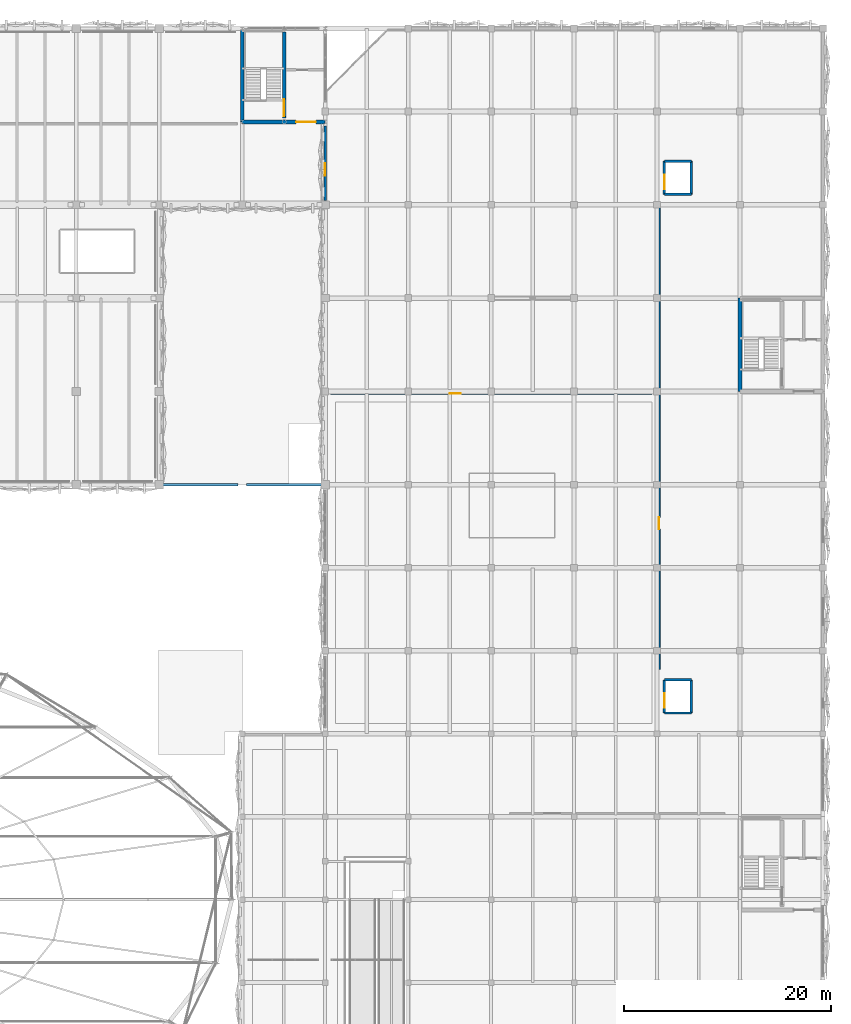
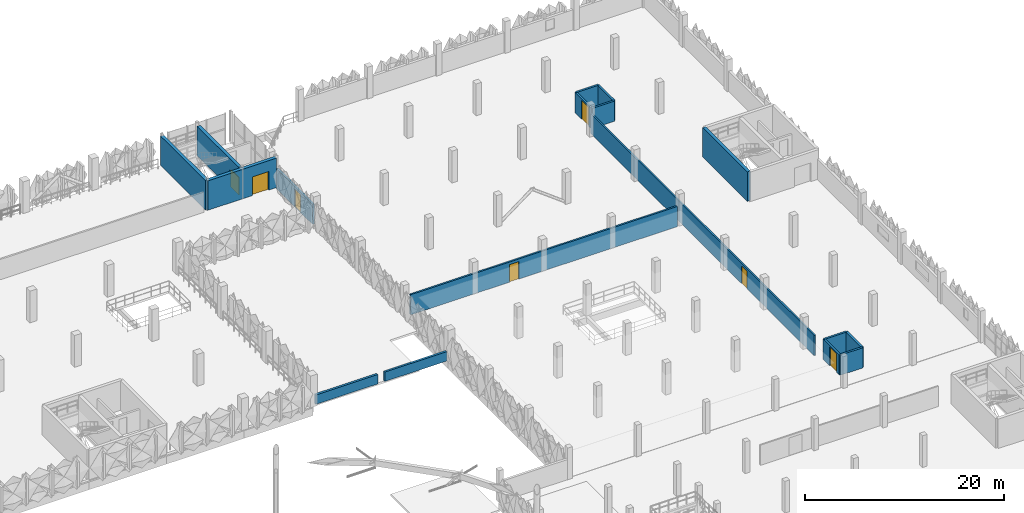
# One storey, part 53 of 96: 17 walls, 7 doors, 7 openings.
"""IFC4 building model written with IfcOpenShell, lengths in metres."""

from ifc_helpers import new_model, si_unit, derived_unit, direction, frame, frame_2d, origin, place, context, subcontext, project, spatial, rectangle, extrude, material, layer, layer_set, type_object, element, fill, save


model = new_model("IFC4")

# Units and contexts
model_context = context("Model", 3, precision=1e-05, world=origin(), true_north=direction((0.0, 1.0)))
body_context = subcontext(model_context, "Body", "Model", "MODEL_VIEW")
ifc_project = project(units=[si_unit("LENGTHUNIT", "METRE"), si_unit("AREAUNIT", "SQUARE_METRE"), si_unit("VOLUMEUNIT", "CUBIC_METRE"), si_unit("PLANEANGLEUNIT", "RADIAN"), si_unit("MASSUNIT", "GRAM", prefix="KILO"), si_unit("THERMODYNAMICTEMPERATUREUNIT", "KELVIN"), derived_unit("THERMALTRANSMITTANCEUNIT", [(si_unit("POWERUNIT", "WATT"), 1), (si_unit("AREAUNIT", "SQUARE_METRE"), -1), (si_unit("THERMODYNAMICTEMPERATUREUNIT", "KELVIN"), -1)])], contexts=[model_context])

# Site, building, storey
site_placement = place(None, origin())
site = spatial("IfcSite", under=ifc_project, at=site_placement, CompositionType="ELEMENT")
building_placement = place(site_placement, origin())
building = spatial("IfcBuilding", under=site, at=building_placement, Name="Haiyu Intermodal Mobility Hub", CompositionType="ELEMENT")
storey_placement = place(building_placement, frame((0.0, 0.0, 9.5)))
storey = spatial("IfcBuildingStorey", under=building, at=storey_placement, Name="L02", CompositionType="ELEMENT", Elevation=9.5)

# Walls
ifc_material_1 = material(Name="Anodised aluminium 6063-T6", Category="aluminium")
ifc_layer_1 = layer(ifc_material_1, 0.260009765625)
ifc_layer_set_1 = layer_set([ifc_layer_1], Name="Anodised aluminium 6063-T6")
wall_type_1 = type_object("IfcWallType", Name="WAL-WE03", PredefinedType="STANDARD", material=ifc_layer_set_1)
wall_1_placement = place(storey_placement, frame((146.385009765625, 104.0, 0.0), z_axis=(0.0, 0.0, 1.0), x_axis=(1.0, 0.0, 0.0)))
element("IfcWall", 1, at=wall_1_placement, inside=storey, type_object=wall_type_1, Name="WAL-PAR-CAR-03", PredefinedType="STANDARD", context=body_context, shape_type="SweptSolid", body=[
    extrude(rectangle(XDim=7.215087890625, YDim=0.260009765625, at=frame_2d((3.607421875, 0.0))), origin(), (0.0, 0.0, 1.0), 1.14990234375),
])
ifc_material_2 = material(Name="Concrete C40", Category="concrete")
ifc_layer_2 = layer(ifc_material_2, 0.239990234375)
ifc_layer_set_2 = layer_set([ifc_layer_2], Name="Concrete C40")
wall_type_2 = type_object("IfcWallType", Name="WAL-WE04", PredefinedType="STANDARD", material=ifc_layer_set_2)
wall_2_placement = place(storey_placement, frame((154.39990234375, 104.0, 0.0), z_axis=(0.0, 0.0, 1.0), x_axis=(1.0, 0.0, 0.0)))
element("IfcWall", 2, at=wall_2_placement, inside=storey, type_object=wall_type_2, Name="WAL-PAR-CAR-04", PredefinedType="STANDARD", context=body_context, shape_type="SweptSolid", body=[
    extrude(rectangle(XDim=7.22509765625, YDim=0.239990234375, at=frame_2d((3.612548828125, 0.0))), origin(), (0.0, 0.0, 1.0), 1.14990234375),
])

# Wall, opening, door
ifc_material_3 = material(Name="Autoclaved aerated concrete block A5.0", Category="concrete")
ifc_layer_3 = layer(ifc_material_3, 0.22998046875)
ifc_layer_set_3 = layer_set([ifc_layer_3], Name="Autoclaved aerated concrete block A5.0")
wall_type_3 = type_object("IfcWallType", Name="WAL-WI01", PredefinedType="PARTITIONING", material=ifc_layer_set_3)
wall_3_placement = place(storey_placement, frame((194.699951171875, 82.0, 0.0), z_axis=(0.0, 0.0, 1.0), x_axis=(0.0, 1.0, 0.0)))
wall_3 = element("IfcWall", 3, at=wall_3_placement, inside=storey, type_object=wall_type_3, Name="WAL-GL-01-W-L02", PredefinedType="PARTITIONING", context=body_context, shape_type="SweptSolid", body=[
    extrude(rectangle(XDim=3.199951171875, YDim=0.22998046875, at=frame_2d((1.60009765625, 0.0))), origin(), (0.0, 0.0, 1.0), 2.47998046875),
])
opening_1_placement = place(wall_3_placement, frame((0.5, 0.0, 0.0)))
opening_1 = element("IfcOpeningElement", 4, at=opening_1_placement, cuts=wall_3, Name="Opening LD03", PredefinedType="OPENING", context=body_context, shape_type="SweptSolid", body=[
    extrude(rectangle(XDim=1.39990234375, YDim=2.300048828125, at=frame_2d((0.699951171875, 1.14990234375))), frame((0.0, 0.125, 0.0), z_axis=(0.0, -1.0, 0.0), x_axis=(1.0, 0.0, 0.0)), (0.0, 0.0, 1.0), 0.25),
])
ifc_material_4 = material(Name="Steel Q355C", Category="steel")
door_type_1 = type_object("IfcDoorType", Name="DR-LD03", OperationType="DOUBLE_DOOR_SLIDING", PredefinedType="DOOR", material=ifc_material_4)
door_1_placement = place(opening_1_placement, origin())
door_1 = element("IfcDoor", 5, at=door_1_placement, inside=storey, type_object=door_type_1, Name="Goods Lift GL-01 Sliding Door L02", OperationType="SLIDING_TO_RIGHT", OverallHeight=2.300048828125, OverallWidth=1.39990234375, PredefinedType="DOOR", context=body_context, shape_type="SweptSolid", body=[
    extrude(rectangle(XDim=1.39990234375, YDim=2.300048828125, at=frame_2d((0.699951171875, 1.14990234375))), frame((0.0, 0.02490234375, 0.0), z_axis=(0.0, -1.0, 0.0), x_axis=(1.0, 0.0, 0.0)), (0.0, 0.0, 1.0), 0.050048828125),
])
fill(opening_1, door_1)

# Walls
wall_4_placement = place(storey_placement, frame((194.699951171875, 85.199951171875, 0.0), z_axis=(0.0, 0.0, 1.0), x_axis=(1.0, 0.0, 0.0)))
element("IfcWall", 6, at=wall_4_placement, inside=storey, type_object=wall_type_3, Name="WAL-GL-01-N-L02", PredefinedType="PARTITIONING", context=body_context, shape_type="SweptSolid", body=[
    extrude(rectangle(XDim=2.60009765625, YDim=0.22998046875, at=frame_2d((1.300048828125, 0.0))), origin(), (0.0, 0.0, 1.0), 2.47998046875),
])
wall_5_placement = place(storey_placement, frame((197.300048828125, 85.199951171875, 0.0), z_axis=(0.0, 0.0, 1.0), x_axis=(0.0, -1.0, 0.0)))
element("IfcWall", 7, at=wall_5_placement, inside=storey, type_object=wall_type_3, Name="WAL-GL-01-E-L02", PredefinedType="PARTITIONING", context=body_context, shape_type="SweptSolid", body=[
    extrude(rectangle(XDim=3.199951171875, YDim=0.22998046875, at=frame_2d((1.60009765625, 0.0))), origin(), (0.0, 0.0, 1.0), 2.47998046875),
])
wall_6_placement = place(storey_placement, frame((197.300048828125, 82.0, 0.0), z_axis=(0.0, 0.0, 1.0), x_axis=(-1.0, 0.0, 0.0)))
element("IfcWall", 8, at=wall_6_placement, inside=storey, type_object=wall_type_3, Name="WAL-GL-01-S-L02", PredefinedType="PARTITIONING", context=body_context, shape_type="SweptSolid", body=[
    extrude(rectangle(XDim=2.60009765625, YDim=0.22998046875, at=frame_2d((1.300048828125, 0.0))), origin(), (0.0, 0.0, 1.0), 2.47998046875),
])

# Wall, opening, door
wall_7_placement = place(storey_placement, frame((194.699951171875, 132.0, 0.0), z_axis=(0.0, 0.0, 1.0), x_axis=(0.0, 1.0, 0.0)))
wall_7 = element("IfcWall", 9, at=wall_7_placement, inside=storey, type_object=wall_type_3, Name="WAL-GL-02-W-L02", PredefinedType="PARTITIONING", context=body_context, shape_type="SweptSolid", body=[
    extrude(rectangle(XDim=3.199951171875, YDim=0.22998046875, at=frame_2d((1.60009765625, 0.0))), origin(), (0.0, 0.0, 1.0), 2.47998046875),
])
opening_2_placement = place(wall_7_placement, frame((0.5, 0.0, 0.0)))
opening_2 = element("IfcOpeningElement", 10, at=opening_2_placement, cuts=wall_7, Name="Opening LD03", PredefinedType="OPENING", context=body_context, shape_type="SweptSolid", body=[
    extrude(rectangle(XDim=1.39990234375, YDim=2.300048828125, at=frame_2d((0.699951171875, 1.14990234375))), frame((0.0, 0.125, 0.0), z_axis=(0.0, -1.0, 0.0), x_axis=(1.0, 0.0, 0.0)), (0.0, 0.0, 1.0), 0.25),
])
door_2_placement = place(opening_2_placement, origin())
door_2 = element("IfcDoor", 11, at=door_2_placement, inside=storey, type_object=door_type_1, Name="Goods Lift GL-02 Sliding Door L02", OperationType="SLIDING_TO_RIGHT", OverallHeight=2.300048828125, OverallWidth=1.39990234375, PredefinedType="DOOR", context=body_context, shape_type="SweptSolid", body=[
    extrude(rectangle(XDim=1.39990234375, YDim=2.300048828125, at=frame_2d((0.699951171875, 1.14990234375))), frame((0.0, 0.02490234375, 0.0), z_axis=(0.0, -1.0, 0.0), x_axis=(1.0, 0.0, 0.0)), (0.0, 0.0, 1.0), 0.050048828125),
])
fill(opening_2, door_2)

# Walls
wall_8_placement = place(storey_placement, frame((194.699951171875, 135.199951171875, 0.0), z_axis=(0.0, 0.0, 1.0), x_axis=(1.0, 0.0, 0.0)))
element("IfcWall", 12, at=wall_8_placement, inside=storey, type_object=wall_type_3, Name="WAL-GL-02-N-L02", PredefinedType="PARTITIONING", context=body_context, shape_type="SweptSolid", body=[
    extrude(rectangle(XDim=2.60009765625, YDim=0.22998046875, at=frame_2d((1.300048828125, 0.0))), origin(), (0.0, 0.0, 1.0), 2.47998046875),
])
wall_9_placement = place(storey_placement, frame((197.300048828125, 135.199951171875, 0.0), z_axis=(0.0, 0.0, 1.0), x_axis=(0.0, -1.0, 0.0)))
element("IfcWall", 13, at=wall_9_placement, inside=storey, type_object=wall_type_3, Name="WAL-GL-02-E-L02", PredefinedType="PARTITIONING", context=body_context, shape_type="SweptSolid", body=[
    extrude(rectangle(XDim=3.199951171875, YDim=0.22998046875, at=frame_2d((1.60009765625, 0.0))), origin(), (0.0, 0.0, 1.0), 2.47998046875),
])
wall_10_placement = place(storey_placement, frame((197.300048828125, 132.0, 0.0), z_axis=(0.0, 0.0, 1.0), x_axis=(-1.0, 0.0, 0.0)))
element("IfcWall", 14, at=wall_10_placement, inside=storey, type_object=wall_type_3, Name="WAL-GL-02-S-L02", PredefinedType="PARTITIONING", context=body_context, shape_type="SweptSolid", body=[
    extrude(rectangle(XDim=2.60009765625, YDim=0.22998046875, at=frame_2d((1.300048828125, 0.0))), origin(), (0.0, 0.0, 1.0), 2.47998046875),
])

# Wall, opening, door
wall_11_placement = place(storey_placement, frame((162.0, 131.39990234375, 0.0), z_axis=(0.0, 0.0, 1.0), x_axis=(0.0, 1.0, 0.0)))
wall_11 = element("IfcWall", 15, at=wall_11_placement, inside=storey, type_object=wall_type_3, Name="WAL-INT-0015", PredefinedType="PARTITIONING", context=body_context, shape_type="SweptSolid", body=[
    extrude(rectangle(XDim=7.2001953125, YDim=0.22998046875, at=frame_2d((3.60009765625, 0.0))), origin(), (0.0, 0.0, 1.0), 2.47998046875),
])
opening_3_placement = place(wall_11_placement, frame((2.39990234375, 0.0, 0.0)))
opening_3 = element("IfcOpeningElement", 16, at=opening_3_placement, cuts=wall_11, Name="Opening DI03", PredefinedType="OPENING", context=body_context, shape_type="SweptSolid", body=[
    extrude(rectangle(XDim=1.199951171875, YDim=2.199951171875, at=frame_2d((0.60009765625, 1.10009765625))), frame((0.0, 0.125, 0.0), z_axis=(0.0, -1.0, 0.0), x_axis=(1.0, 0.0, 0.0)), (0.0, 0.0, 1.0), 0.25),
])
door_type_2 = type_object("IfcDoorType", Name="DR-DI03", OperationType="NOTDEFINED", PredefinedType="DOOR", material=ifc_material_4)
door_3_placement = place(opening_3_placement, origin())
door_3 = element("IfcDoor", 17, at=door_3_placement, inside=storey, type_object=door_type_2, Name="Parking-Service Fire Door L02-A", OperationType="DOUBLE_SWING_LEFT", OverallHeight=2.199951171875, OverallWidth=1.199951171875, PredefinedType="DOOR", context=body_context, shape_type="SweptSolid", body=[
    extrude(rectangle(XDim=1.199951171875, YDim=2.199951171875, at=frame_2d((0.60009765625, 1.10009765625))), frame((0.0, 0.02490234375, 0.0), z_axis=(0.0, -1.0, 0.0), x_axis=(1.0, 0.0, 0.0)), (0.0, 0.0, 1.0), 0.050048828125),
])
fill(opening_3, door_3)

ifc_layer_4 = layer(ifc_material_3, 0.199951171875)
ifc_layer_set_4 = layer_set([ifc_layer_4], Name="Autoclaved aerated concrete block A5.0")
wall_type_4 = type_object("IfcWallType", Name="WAL-WI02", PredefinedType="PARTITIONING", material=ifc_layer_set_4)
wall_12_placement = place(storey_placement, frame((162.5, 112.800048828125, 0.0), z_axis=(0.0, 0.0, 1.0), x_axis=(1.0, 0.0, 0.0)))
wall_12 = element("IfcWall", 18, at=wall_12_placement, inside=storey, type_object=wall_type_4, Name="WAL-INT-0034", PredefinedType="PARTITIONING", context=body_context, shape_type="SweptSolid", body=[
    extrude(rectangle(XDim=31.0, YDim=0.199951171875, at=frame_2d((15.5, 0.0))), origin(), (0.0, 0.0, 1.0), 2.47998046875),
])
opening_4_placement = place(wall_12_placement, frame((11.5, 0.0, 0.0)))
opening_4 = element("IfcOpeningElement", 19, at=opening_4_placement, cuts=wall_12, Name="Opening DI10", PredefinedType="OPENING", context=body_context, shape_type="SweptSolid", body=[
    extrude(rectangle(XDim=1.080078125, YDim=2.14990234375, at=frame_2d((0.5400390625, 1.074951171875))), frame((0.0, 0.10986328125, 0.0), z_axis=(0.0, -1.0, 0.0), x_axis=(1.0, 0.0, 0.0)), (0.0, 0.0, 1.0), 0.219970703125),
])
door_type_3 = type_object("IfcDoorType", Name="DR-DI10", OperationType="NOTDEFINED", PredefinedType="DOOR", material=ifc_material_1)
door_4_placement = place(opening_4_placement, origin())
door_4 = element("IfcDoor", 20, at=door_4_placement, inside=storey, type_object=door_type_3, Name="ITS Server Room Door", OperationType="SINGLE_SWING_RIGHT", OverallHeight=2.14990234375, OverallWidth=1.080078125, PredefinedType="DOOR", context=body_context, shape_type="SweptSolid", body=[
    extrude(rectangle(XDim=1.080078125, YDim=2.14990234375, at=frame_2d((0.5400390625, 1.074951171875))), frame((0.0, 0.02490234375, 0.0), z_axis=(0.0, -1.0, 0.0), x_axis=(1.0, 0.0, 0.0)), (0.0, 0.0, 1.0), 0.050048828125),
])
fill(opening_4, door_4)

ifc_layer_5 = layer(ifc_material_3, 0.179931640625)
ifc_layer_set_5 = layer_set([ifc_layer_5], Name="Autoclaved aerated concrete block A5.0")
wall_type_5 = type_object("IfcWallType", Name="WAL-WI03", PredefinedType="PARTITIONING", material=ifc_layer_set_5)
wall_13_placement = place(storey_placement, frame((194.199951171875, 86.199951171875, 0.0), z_axis=(0.0, 0.0, 1.0), x_axis=(0.0, 1.0, 0.0)))
wall_13 = element("IfcWall", 21, at=wall_13_placement, inside=storey, type_object=wall_type_5, Name="WAL-INT-0035", PredefinedType="PARTITIONING", context=body_context, shape_type="SweptSolid", body=[
    extrude(rectangle(XDim=45.0, YDim=0.179931640625, at=frame_2d((22.5, 0.0))), origin(), (0.0, 0.0, 1.0), 2.47998046875),
])
opening_5_placement = place(wall_13_placement, frame((13.5, 0.0, 0.0)))
opening_5 = element("IfcOpeningElement", 22, at=opening_5_placement, cuts=wall_13, Name="Opening DI05", PredefinedType="OPENING", context=body_context, shape_type="SweptSolid", body=[
    extrude(rectangle(XDim=1.14990234375, YDim=2.14990234375, at=frame_2d((0.574951171875, 1.074951171875))), frame((0.0, 0.10009765625, 0.0), z_axis=(0.0, -1.0, 0.0), x_axis=(1.0, 0.0, 0.0)), (0.0, 0.0, 1.0), 0.199951171875),
])
door_type_4 = type_object("IfcDoorType", Name="DR-DI05", OperationType="NOTDEFINED", PredefinedType="DOOR", material=ifc_material_4)
door_5_placement = place(opening_5_placement, origin())
door_5 = element("IfcDoor", 23, at=door_5_placement, inside=storey, type_object=door_type_4, Name="Operations Briefing Door", OperationType="SINGLE_SWING_LEFT", OverallHeight=2.14990234375, OverallWidth=1.14990234375, PredefinedType="DOOR", context=body_context, shape_type="SweptSolid", body=[
    extrude(rectangle(XDim=1.14990234375, YDim=2.14990234375, at=frame_2d((0.574951171875, 1.074951171875))), frame((0.0, 0.02490234375, 0.0), z_axis=(0.0, -1.0, 0.0), x_axis=(1.0, 0.0, 0.0)), (0.0, 0.0, 1.0), 0.050048828125),
])
fill(opening_5, door_5)

# Wall
ifc_layer_6 = layer(ifc_material_2, 0.35009765625)
ifc_layer_set_6 = layer_set([ifc_layer_6], Name="Concrete C40")
wall_type_6 = type_object("IfcWallType", Name="WAL-WS02", PredefinedType="SHEAR", material=ifc_layer_set_6)
wall_14_placement = place(storey_placement, frame((202.0, 122.0, 0.0), z_axis=(0.0, 0.0, 1.0), x_axis=(0.0, -1.0, 0.0)))
element("IfcWall", 24, at=wall_14_placement, inside=storey, type_object=wall_type_6, Name="WAL-CORE-C10-W-L02", PredefinedType="SHEAR", context=body_context, shape_type="SweptSolid", body=[
    extrude(rectangle(XDim=9.0, YDim=0.35009765625, at=frame_2d((4.5, 0.0))), origin(), (0.0, 0.0, 1.0), 3.6201171875),
])

# Wall, opening, door
ifc_layer_7 = layer(ifc_material_2, 0.3798828125)
ifc_layer_set_7 = layer_set([ifc_layer_7], Name="Concrete C40")
wall_type_7 = type_object("IfcWallType", Name="WAL-WS03", PredefinedType="SHEAR", material=ifc_layer_set_7)
wall_15_placement = place(storey_placement, frame((154.0, 139.0, 0.0), z_axis=(0.0, 0.0, 1.0), x_axis=(1.0, 0.0, 0.0)))
wall_15 = element("IfcWall", 25, at=wall_15_placement, inside=storey, type_object=wall_type_7, Name="WAL-CORE-C4-S-L02", PredefinedType="SHEAR", context=body_context, shape_type="SweptSolid", body=[
    extrude(rectangle(XDim=8.0, YDim=0.3798828125, at=frame_2d((4.0, 0.0))), origin(), (0.0, 0.0, 1.0), 3.6201171875),
])
opening_6_placement = place(wall_15_placement, frame((5.199951171875, 0.0, 0.0)))
opening_6 = element("IfcOpeningElement", 26, at=opening_6_placement, cuts=wall_15, Name="Opening DI01", PredefinedType="OPENING", context=body_context, shape_type="SweptSolid", body=[
    extrude(rectangle(XDim=1.89990234375, YDim=2.300048828125, at=frame_2d((0.949951171875, 1.14990234375))), frame((0.0, 0.199951171875, 0.0), z_axis=(0.0, -1.0, 0.0), x_axis=(1.0, 0.0, 0.0)), (0.0, 0.0, 1.0), 0.39990234375),
])
door_type_5 = type_object("IfcDoorType", Name="DR-DI01", OperationType="DOUBLE_DOOR_SINGLE_SWING", PredefinedType="DOOR", material=ifc_material_4)
door_6_placement = place(opening_6_placement, origin())
door_6 = element("IfcDoor", 27, at=door_6_placement, inside=storey, type_object=door_type_5, Name="Core C4 Lobby Fire Door L02", OperationType="SINGLE_SWING_RIGHT", OverallHeight=2.300048828125, OverallWidth=1.89990234375, PredefinedType="DOOR", context=body_context, shape_type="SweptSolid", body=[
    extrude(rectangle(XDim=1.89990234375, YDim=2.300048828125, at=frame_2d((0.949951171875, 1.14990234375))), frame((0.0, 0.02490234375, 0.0), z_axis=(0.0, -1.0, 0.0), x_axis=(1.0, 0.0, 0.0)), (0.0, 0.0, 1.0), 0.050048828125),
])
fill(opening_6, door_6)

# Wall
wall_16_placement = place(storey_placement, frame((154.0, 148.0, 0.0), z_axis=(0.0, 0.0, 1.0), x_axis=(0.0, -1.0, 0.0)))
element("IfcWall", 28, at=wall_16_placement, inside=storey, type_object=wall_type_7, Name="WAL-CORE-C4-W-L02", PredefinedType="SHEAR", context=body_context, shape_type="SweptSolid", body=[
    extrude(rectangle(XDim=9.0, YDim=0.3798828125, at=frame_2d((4.5, 0.0))), origin(), (0.0, 0.0, 1.0), 3.6201171875),
])

# Wall, opening, door
wall_17_placement = place(storey_placement, frame((158.050048828125, 139.35009765625, 0.0), z_axis=(0.0, 0.0, 1.0), x_axis=(0.0, 1.0, 0.0)))
wall_17 = element("IfcWall", 29, at=wall_17_placement, inside=storey, type_object=wall_type_7, Name="WAL-CORE-C4-MID-L02", PredefinedType="SHEAR", context=body_context, shape_type="SweptSolid", body=[
    extrude(rectangle(XDim=8.2998046875, YDim=0.3798828125, at=frame_2d((4.14990234375, 0.0))), origin(), (0.0, 0.0, 1.0), 3.6201171875),
])
opening_7_placement = place(wall_17_placement, frame((0.179931640625, 0.0, 0.0)))
opening_7 = element("IfcOpeningElement", 30, at=opening_7_placement, cuts=wall_17, Name="Opening DI02", PredefinedType="OPENING", context=body_context, shape_type="SweptSolid", body=[
    extrude(rectangle(XDim=1.64990234375, YDim=2.199951171875, at=frame_2d((0.824951171875, 1.10009765625))), frame((0.0, 0.199951171875, 0.0), z_axis=(0.0, -1.0, 0.0), x_axis=(1.0, 0.0, 0.0)), (0.0, 0.0, 1.0), 0.39990234375),
])
door_type_6 = type_object("IfcDoorType", Name="DR-DI02", OperationType="DOUBLE_DOOR_SINGLE_SWING", PredefinedType="DOOR", material=ifc_material_4)
door_7_placement = place(opening_7_placement, origin())
door_7 = element("IfcDoor", 31, at=door_7_placement, inside=storey, type_object=door_type_6, Name="Stair ST02 Fire Door L02", OperationType="SINGLE_SWING_RIGHT", OverallHeight=2.199951171875, OverallWidth=1.64990234375, PredefinedType="DOOR", context=body_context, shape_type="SweptSolid", body=[
    extrude(rectangle(XDim=1.64990234375, YDim=2.199951171875, at=frame_2d((0.824951171875, 1.10009765625))), frame((0.0, 0.02490234375, 0.0), z_axis=(0.0, -1.0, 0.0), x_axis=(1.0, 0.0, 0.0)), (0.0, 0.0, 1.0), 0.050048828125),
])
fill(opening_7, door_7)

save(model, "model.ifc")
